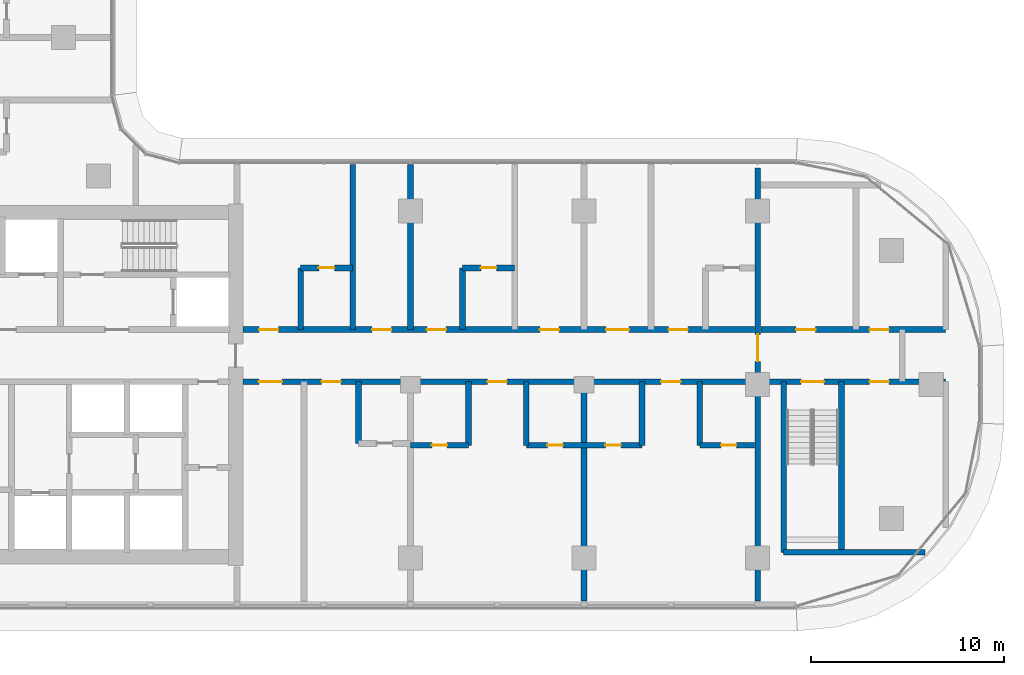
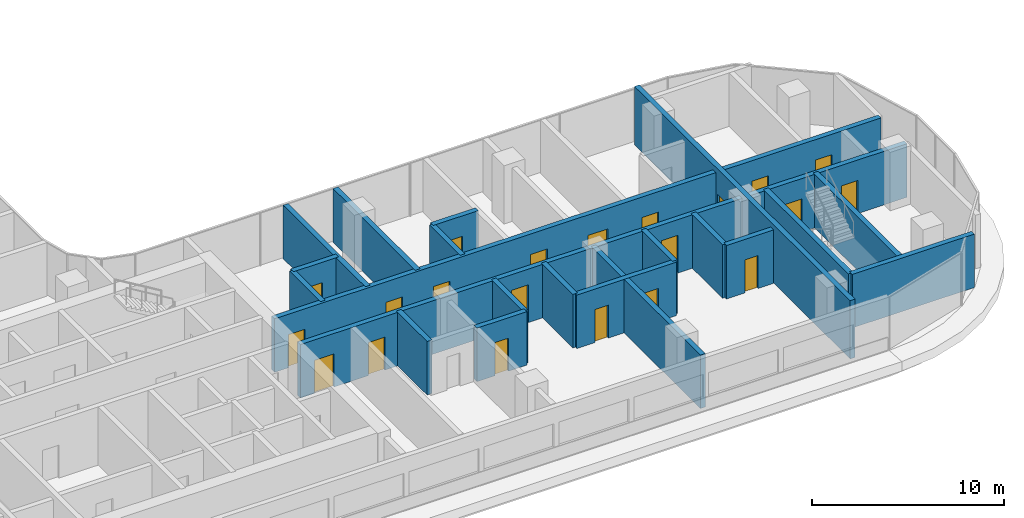
# One storey, part 12 of 25: 23 walls, 21 doors, 21 openings.
"""IFC4 building model written with IfcOpenShell, lengths in metres."""

from ifc_helpers import new_model, si_unit, direction, frame, frame_2d, origin, place, context, subcontext, project, spatial, rectangle, extrude, material, layer, layer_set, type_object, element, fill, save


model = new_model("IFC4")

# Units and contexts
model_context = context("Model", 3, precision=1e-05, world=origin(), true_north=direction((0.0, 1.0)))
body_context = subcontext(model_context, "Body", "Model", "MODEL_VIEW")
ifc_project = project(units=[si_unit("LENGTHUNIT", "METRE"), si_unit("AREAUNIT", "SQUARE_METRE"), si_unit("VOLUMEUNIT", "CUBIC_METRE"), si_unit("PLANEANGLEUNIT", "RADIAN"), si_unit("MASSUNIT", "GRAM", prefix="KILO")], contexts=[model_context])

# Site, building, storey
site_placement = place(None, origin())
site = spatial("IfcSite", under=ifc_project, at=site_placement, CompositionType="ELEMENT")
building_placement = place(site_placement, origin())
building = spatial("IfcBuilding", under=site, at=building_placement, Name="Ogive Portal Towers", CompositionType="ELEMENT")
storey_placement = place(building_placement, frame((0.0, 0.0, 116.699951171875)))
storey = spatial("IfcBuildingStorey", under=building, at=storey_placement, Name="L28", CompositionType="ELEMENT", Elevation=116.699951171875)

# Wall, opening, door
ifc_material_1 = material(Name="Concrete C60/75", Category="concrete")
ifc_layer_1 = layer(ifc_material_1, 0.300048828125)
ifc_layer_set_1 = layer_set([ifc_layer_1], Name="REVEAL WALL 300 C60")
wall_type_1 = type_object("IfcWallType", Name="REVEAL WALL 300 C60", PredefinedType="SHEAR", material=ifc_layer_set_1)
wall_1_placement = place(storey_placement, frame((85.5, 19.27490234375, 0.0), z_axis=(0.0, 0.0, 1.0), x_axis=(0.0, 1.0, 0.0)))
wall_1 = element("IfcWall", 1, at=wall_1_placement, inside=storey, type_object=wall_type_1, Name="Portal reveal wall L28", PredefinedType="SHEAR", context=body_context, shape_type="SweptSolid", body=[
    extrude(rectangle(XDim=22.4501953125, YDim=0.300048828125, at=frame_2d((11.22509765625, 0.0))), origin(), (0.0, 0.0, 1.0), 3.699951171875),
])
opening_1_placement = place(wall_1_placement, frame((12.425048828125, 0.0, 0.0)))
opening_1 = element("IfcOpeningElement", 2, at=opening_1_placement, cuts=wall_1, Name="Opening D10-067", PredefinedType="OPENING", context=body_context, shape_type="SweptSolid", body=[
    extrude(rectangle(XDim=1.39990234375, YDim=2.10009765625, at=frame_2d((0.699951171875, 1.050048828125))), frame((0.0, 0.16015625, 0.0), z_axis=(0.0, -1.0, 0.0), x_axis=(1.0, 0.0, 0.0)), (0.0, 0.0, 1.0), 0.320068359375),
])
ifc_material_2 = material(Name="Steel fire door", Category="steel")
door_type_1 = type_object("IfcDoorType", Name="DT-STAIR-1400x2100-FD90S", OperationType="SINGLE_SWING_LEFT", PredefinedType="DOOR", material=ifc_material_2)
door_1_placement = place(opening_1_placement, origin())
door_1 = element("IfcDoor", 3, at=door_1_placement, inside=storey, type_object=door_type_1, Name="Door D10-067", OperationType="SINGLE_SWING_RIGHT", OverallHeight=2.10009765625, OverallWidth=1.39990234375, PredefinedType="DOOR", context=body_context, shape_type="SweptSolid", body=[
    extrude(rectangle(XDim=1.39990234375, YDim=2.10009765625, at=frame_2d((0.699951171875, 1.050048828125))), frame((0.0, 0.02490234375, 0.0), z_axis=(0.0, -1.0, 0.0), x_axis=(1.0, 0.0, 0.0)), (0.0, 0.0, 1.0), 0.050048828125),
])
fill(opening_1, door_1)

# Wall
ifc_material_3 = material(Name="Concrete C50/60", Category="concrete")
ifc_layer_2 = layer(ifc_material_3, 0.300048828125)
ifc_layer_set_2 = layer_set([ifc_layer_2], Name="STAIR WALL 300 C50")
wall_type_2 = type_object("IfcWallType", Name="STAIR WALL 300 C50", PredefinedType="SHEAR", material=ifc_layer_set_2)
wall_2_placement = place(storey_placement, frame((86.85009765625, 21.800048828125, 0.0), z_axis=(0.0, 0.0, 1.0), x_axis=(1.0, 0.0, 0.0)))
element("IfcWall", 4, at=wall_2_placement, inside=storey, type_object=wall_type_2, Name="Stair wall ST-A4 L28", PredefinedType="SHEAR", context=body_context, shape_type="SweptSolid", body=[
    extrude(rectangle(XDim=7.3388671875, YDim=0.300048828125, at=frame_2d((3.66943359375, 0.0))), origin(), (0.0, 0.0, 1.0), 3.400146484375),
])

# Wall, openings, doors
wall_3_placement = place(storey_placement, frame((85.669921875, 30.64990234375, 0.0), z_axis=(0.0, 0.0, 1.0), x_axis=(1.0, 0.0, 0.0)))
wall_3 = element("IfcWall", 5, at=wall_3_placement, inside=storey, type_object=wall_type_2, Name="Stair wall ST-A4 L28", PredefinedType="SHEAR", context=body_context, shape_type="SweptSolid", body=[
    extrude(rectangle(XDim=9.580078125, YDim=0.300048828125, at=frame_2d((4.7900390625, 0.0))), origin(), (0.0, 0.0, 1.0), 3.400146484375),
])
opening_2_placement = place(wall_3_placement, frame((2.080078125, 0.0, 0.0)))
opening_2 = element("IfcOpeningElement", 6, at=opening_2_placement, cuts=wall_3, Name="Opening D10-062", PredefinedType="OPENING", context=body_context, shape_type="SweptSolid", body=[
    extrude(rectangle(XDim=1.199951171875, YDim=2.10009765625, at=frame_2d((0.60009765625, 1.050048828125))), frame((0.0, 0.16015625, 0.0), z_axis=(0.0, -1.0, 0.0), x_axis=(1.0, 0.0, 0.0)), (0.0, 0.0, 1.0), 0.320068359375),
])
opening_3_placement = place(wall_3_placement, frame((5.6298828125, 0.0, 0.0)))
opening_3 = element("IfcOpeningElement", 7, at=opening_3_placement, cuts=wall_3, Name="Opening D10-065", PredefinedType="OPENING", context=body_context, shape_type="SweptSolid", body=[
    extrude(rectangle(XDim=1.0, YDim=2.10009765625, at=frame_2d((0.5, 1.050048828125))), frame((0.0, 0.16015625, 0.0), z_axis=(0.0, -1.0, 0.0), x_axis=(1.0, 0.0, 0.0)), (0.0, 0.0, 1.0), 0.320068359375),
])
door_type_2 = type_object("IfcDoorType", Name="DT-SERVICE-1000x2100-FD90S", OperationType="SINGLE_SWING_LEFT", PredefinedType="DOOR", material=ifc_material_2)
door_2_placement = place(opening_3_placement, origin())
door_2 = element("IfcDoor", 8, at=door_2_placement, inside=storey, type_object=door_type_2, Name="Door D10-065", OperationType="SINGLE_SWING_LEFT", OverallHeight=2.10009765625, OverallWidth=1.0, PredefinedType="DOOR", context=body_context, shape_type="SweptSolid", body=[
    extrude(rectangle(XDim=1.0, YDim=2.10009765625, at=frame_2d((0.5, 1.050048828125))), frame((0.0, 0.02490234375, 0.0), z_axis=(0.0, -1.0, 0.0), x_axis=(1.0, 0.0, 0.0)), (0.0, 0.0, 1.0), 0.050048828125),
])
fill(opening_3, door_2)
door_type_3 = type_object("IfcDoorType", Name="DT-STAIR-1200x2100-FD90S", OperationType="SINGLE_SWING_LEFT", PredefinedType="DOOR", material=ifc_material_2)
door_3_placement = place(opening_2_placement, origin())
door_3 = element("IfcDoor", 9, at=door_3_placement, inside=storey, type_object=door_type_3, Name="Door D10-062", OperationType="SINGLE_SWING_LEFT", OverallHeight=2.10009765625, OverallWidth=1.199951171875, PredefinedType="DOOR", context=body_context, shape_type="SweptSolid", body=[
    extrude(rectangle(XDim=1.199951171875, YDim=2.10009765625, at=frame_2d((0.60009765625, 1.050048828125))), frame((0.0, 0.02490234375, 0.0), z_axis=(0.0, -1.0, 0.0), x_axis=(1.0, 0.0, 0.0)), (0.0, 0.0, 1.0), 0.050048828125),
])
fill(opening_2, door_3)

# Walls
for number, where, z_axis, x_axis, name in (
    (10, (86.85009765625, 21.800048828125, 0.0), (0.0, 0.0, 1.0), (0.0, 1.0, 0.0), "Stair wall ST-A4 L28"),
    (11, (89.85009765625, 21.800048828125, 0.0), (0.0, 0.0, 1.0), (0.0, 1.0, 0.0), "Stair wall ST-A4 L28"),
):
    element("IfcWall", number, at=place(storey_placement, frame(where, z_axis=z_axis, x_axis=x_axis)), inside=storey, type_object=wall_type_2, Name=name, PredefinedType="SHEAR", context=body_context, shape_type="SweptSolid", body=[
        extrude(rectangle(XDim=8.849853515625, YDim=0.300048828125, at=frame_2d((4.4248046875, 0.0))), origin(), (0.0, 0.0, 1.0), 3.400146484375),
    ])

# Wall, openings, doors
ifc_material_4 = material(Name="Gypsum board partition on steel studs", Category="steel")
ifc_layer_3 = layer(ifc_material_4, 0.300048828125)
ifc_layer_set_3 = layer_set([ifc_layer_3], Name="WT-PART-300-EI 120")
wall_type_3 = type_object("IfcWallType", Name="WT-PART-300-EI 120", PredefinedType="PARTITIONING", material=ifc_layer_set_3)
wall_4_placement = place(storey_placement, frame((58.800048828125, 30.64990234375, 0.0), z_axis=(0.0, 0.0, 1.0), x_axis=(1.0, 0.0, 0.0)))
wall_4 = element("IfcWall", 12, at=wall_4_placement, inside=storey, type_object=wall_type_3, Name="Wall L28:w006", PredefinedType="PARTITIONING", context=body_context, shape_type="SweptSolid", body=[
    extrude(rectangle(XDim=26.530029296875, YDim=0.300048828125, at=frame_2d((13.26513671875, 0.0))), origin(), (0.0, 0.0, 1.0), 3.400146484375),
])
opening_4_placement = place(wall_4_placement, frame((0.8349609375, 0.0, 0.0)))
opening_4 = element("IfcOpeningElement", 13, at=opening_4_placement, cuts=wall_4, Name="Opening D10-029", PredefinedType="OPENING", context=body_context, shape_type="SweptSolid", body=[
    extrude(rectangle(XDim=1.199951171875, YDim=2.10009765625, at=frame_2d((0.60009765625, 1.050048828125))), frame((0.0, 0.16015625, 0.0), z_axis=(0.0, -1.0, 0.0), x_axis=(1.0, 0.0, 0.0)), (0.0, 0.0, 1.0), 0.320068359375),
])
opening_5_placement = place(wall_4_placement, frame((4.0849609375, 0.0, 0.0)))
opening_5 = element("IfcOpeningElement", 14, at=opening_5_placement, cuts=wall_4, Name="Opening D10-031", PredefinedType="OPENING", context=body_context, shape_type="SweptSolid", body=[
    extrude(rectangle(XDim=1.0, YDim=2.10009765625, at=frame_2d((0.5, 1.050048828125))), frame((0.0, 0.16015625, 0.0), z_axis=(0.0, -1.0, 0.0), x_axis=(1.0, 0.0, 0.0)), (0.0, 0.0, 1.0), 0.320068359375),
])
opening_6_placement = place(wall_4_placement, frame((12.699951171875, 0.0, 0.0)))
opening_6 = element("IfcOpeningElement", 15, at=opening_6_placement, cuts=wall_4, Name="Opening D10-037", PredefinedType="OPENING", context=body_context, shape_type="SweptSolid", body=[
    extrude(rectangle(XDim=1.0, YDim=2.39990234375, at=frame_2d((0.5, 1.199951171875))), frame((0.0, 0.16015625, 0.0), z_axis=(0.0, -1.0, 0.0), x_axis=(1.0, 0.0, 0.0)), (0.0, 0.0, 1.0), 0.320068359375),
])
opening_7_placement = place(wall_4_placement, frame((21.699951171875, 0.0, 0.0)))
opening_7 = element("IfcOpeningElement", 16, at=opening_7_placement, cuts=wall_4, Name="Opening D10-043", PredefinedType="OPENING", context=body_context, shape_type="SweptSolid", body=[
    extrude(rectangle(XDim=1.0, YDim=2.39990234375, at=frame_2d((0.5, 1.199951171875))), frame((0.0, 0.16015625, 0.0), z_axis=(0.0, -1.0, 0.0), x_axis=(1.0, 0.0, 0.0)), (0.0, 0.0, 1.0), 0.320068359375),
])
door_type_4 = type_object("IfcDoorType", Name="DT-ENTRY-1000x2100-FD90S", OperationType="SINGLE_SWING_LEFT", PredefinedType="DOOR", material=ifc_material_2)
door_4_placement = place(opening_5_placement, origin())
door_4 = element("IfcDoor", 17, at=door_4_placement, inside=storey, type_object=door_type_4, Name="Door D10-031", OperationType="SINGLE_SWING_LEFT", OverallHeight=2.10009765625, OverallWidth=1.0, PredefinedType="DOOR", context=body_context, shape_type="SweptSolid", body=[
    extrude(rectangle(XDim=1.0, YDim=2.10009765625, at=frame_2d((0.5, 1.050048828125))), frame((0.0, 0.02490234375, 0.0), z_axis=(0.0, -1.0, 0.0), x_axis=(1.0, 0.0, 0.0)), (0.0, 0.0, 1.0), 0.050048828125),
])
fill(opening_5, door_4)
door_type_5 = type_object("IfcDoorType", Name="DT-ENTRY-1000x2400-FD90S", OperationType="SINGLE_SWING_LEFT", PredefinedType="DOOR", material=ifc_material_2)
door_5_placement = place(opening_6_placement, origin())
door_5 = element("IfcDoor", 18, at=door_5_placement, inside=storey, type_object=door_type_5, Name="Door D10-037", OperationType="SINGLE_SWING_LEFT", OverallHeight=2.39990234375, OverallWidth=1.0, PredefinedType="DOOR", context=body_context, shape_type="SweptSolid", body=[
    extrude(rectangle(XDim=1.0, YDim=2.39990234375, at=frame_2d((0.5, 1.199951171875))), frame((0.0, 0.02490234375, 0.0), z_axis=(0.0, -1.0, 0.0), x_axis=(1.0, 0.0, 0.0)), (0.0, 0.0, 1.0), 0.050048828125),
])
fill(opening_6, door_5)
door_6_placement = place(opening_7_placement, origin())
door_6 = element("IfcDoor", 19, at=door_6_placement, inside=storey, type_object=door_type_5, Name="Door D10-043", OperationType="SINGLE_SWING_LEFT", OverallHeight=2.39990234375, OverallWidth=1.0, PredefinedType="DOOR", context=body_context, shape_type="SweptSolid", body=[
    extrude(rectangle(XDim=1.0, YDim=2.39990234375, at=frame_2d((0.5, 1.199951171875))), frame((0.0, 0.02490234375, 0.0), z_axis=(0.0, -1.0, 0.0), x_axis=(1.0, 0.0, 0.0)), (0.0, 0.0, 1.0), 0.050048828125),
])
fill(opening_7, door_6)
door_type_6 = type_object("IfcDoorType", Name="DT-ENTRY-1200x2100-FD90S", OperationType="SINGLE_SWING_LEFT", PredefinedType="DOOR", material=ifc_material_2)
door_7_placement = place(opening_4_placement, origin())
door_7 = element("IfcDoor", 20, at=door_7_placement, inside=storey, type_object=door_type_6, Name="Door D10-029", OperationType="SINGLE_SWING_LEFT", OverallHeight=2.10009765625, OverallWidth=1.199951171875, PredefinedType="DOOR", context=body_context, shape_type="SweptSolid", body=[
    extrude(rectangle(XDim=1.199951171875, YDim=2.10009765625, at=frame_2d((0.60009765625, 1.050048828125))), frame((0.0, 0.02490234375, 0.0), z_axis=(0.0, -1.0, 0.0), x_axis=(1.0, 0.0, 0.0)), (0.0, 0.0, 1.0), 0.050048828125),
])
fill(opening_4, door_7)

wall_5_placement = place(storey_placement, frame((58.800048828125, 33.35009765625, 0.0), z_axis=(0.0, 0.0, 1.0), x_axis=(1.0, 0.0, 0.0)))
wall_5 = element("IfcWall", 21, at=wall_5_placement, inside=storey, type_object=wall_type_3, Name="Wall L28:w008", PredefinedType="PARTITIONING", context=body_context, shape_type="SweptSolid", body=[
    extrude(rectangle(XDim=26.530029296875, YDim=0.300048828125, at=frame_2d((13.26513671875, 0.0))), origin(), (0.0, 0.0, 1.0), 3.400146484375),
])
opening_8_placement = place(wall_5_placement, frame((0.85009765625, 0.0, 0.0)))
opening_8 = element("IfcOpeningElement", 22, at=opening_8_placement, cuts=wall_5, Name="Opening D10-027", PredefinedType="OPENING", context=body_context, shape_type="SweptSolid", body=[
    extrude(rectangle(XDim=1.0, YDim=2.10009765625, at=frame_2d((0.5, 1.050048828125))), frame((0.0, 0.16015625, 0.0), z_axis=(0.0, -1.0, 0.0), x_axis=(1.0, 0.0, 0.0)), (0.0, 0.0, 1.0), 0.320068359375),
])
opening_9_placement = place(wall_5_placement, frame((6.699951171875, 0.0, 0.0)))
opening_9 = element("IfcOpeningElement", 23, at=opening_9_placement, cuts=wall_5, Name="Opening D10-028", PredefinedType="OPENING", context=body_context, shape_type="SweptSolid", body=[
    extrude(rectangle(XDim=1.0, YDim=2.10009765625, at=frame_2d((0.5, 1.050048828125))), frame((0.0, 0.16015625, 0.0), z_axis=(0.0, -1.0, 0.0), x_axis=(1.0, 0.0, 0.0)), (0.0, 0.0, 1.0), 0.320068359375),
])
opening_10_placement = place(wall_5_placement, frame((9.550048828125, 0.0, 0.0)))
opening_10 = element("IfcOpeningElement", 24, at=opening_10_placement, cuts=wall_5, Name="Opening D10-033", PredefinedType="OPENING", context=body_context, shape_type="SweptSolid", body=[
    extrude(rectangle(XDim=1.0, YDim=2.10009765625, at=frame_2d((0.5, 1.050048828125))), frame((0.0, 0.16015625, 0.0), z_axis=(0.0, -1.0, 0.0), x_axis=(1.0, 0.0, 0.0)), (0.0, 0.0, 1.0), 0.320068359375),
])
opening_11_placement = place(wall_5_placement, frame((15.39990234375, 0.0, 0.0)))
opening_11 = element("IfcOpeningElement", 25, at=opening_11_placement, cuts=wall_5, Name="Opening D10-034", PredefinedType="OPENING", context=body_context, shape_type="SweptSolid", body=[
    extrude(rectangle(XDim=1.0, YDim=2.10009765625, at=frame_2d((0.5, 1.050048828125))), frame((0.0, 0.16015625, 0.0), z_axis=(0.0, -1.0, 0.0), x_axis=(1.0, 0.0, 0.0)), (0.0, 0.0, 1.0), 0.320068359375),
])
opening_12_placement = place(wall_5_placement, frame((18.8349609375, 0.0, 0.0)))
opening_12 = element("IfcOpeningElement", 26, at=opening_12_placement, cuts=wall_5, Name="Opening D10-038", PredefinedType="OPENING", context=body_context, shape_type="SweptSolid", body=[
    extrude(rectangle(XDim=1.199951171875, YDim=2.10009765625, at=frame_2d((0.60009765625, 1.050048828125))), frame((0.0, 0.16015625, 0.0), z_axis=(0.0, -1.0, 0.0), x_axis=(1.0, 0.0, 0.0)), (0.0, 0.0, 1.0), 0.320068359375),
])
opening_13_placement = place(wall_5_placement, frame((22.0849609375, 0.0, 0.0)))
opening_13 = element("IfcOpeningElement", 27, at=opening_13_placement, cuts=wall_5, Name="Opening D10-040", PredefinedType="OPENING", context=body_context, shape_type="SweptSolid", body=[
    extrude(rectangle(XDim=1.0, YDim=2.10009765625, at=frame_2d((0.5, 1.050048828125))), frame((0.0, 0.16015625, 0.0), z_axis=(0.0, -1.0, 0.0), x_axis=(1.0, 0.0, 0.0)), (0.0, 0.0, 1.0), 0.320068359375),
])
door_8_placement = place(opening_8_placement, origin())
door_8 = element("IfcDoor", 28, at=door_8_placement, inside=storey, type_object=door_type_4, Name="Door D10-027", OperationType="SINGLE_SWING_LEFT", OverallHeight=2.10009765625, OverallWidth=1.0, PredefinedType="DOOR", context=body_context, shape_type="SweptSolid", body=[
    extrude(rectangle(XDim=1.0, YDim=2.10009765625, at=frame_2d((0.5, 1.050048828125))), frame((0.0, 0.02490234375, 0.0), z_axis=(0.0, -1.0, 0.0), x_axis=(1.0, 0.0, 0.0)), (0.0, 0.0, 1.0), 0.050048828125),
])
fill(opening_8, door_8)
door_9_placement = place(opening_9_placement, origin())
door_9 = element("IfcDoor", 29, at=door_9_placement, inside=storey, type_object=door_type_4, Name="Door D10-028", OperationType="SINGLE_SWING_RIGHT", OverallHeight=2.10009765625, OverallWidth=1.0, PredefinedType="DOOR", context=body_context, shape_type="SweptSolid", body=[
    extrude(rectangle(XDim=1.0, YDim=2.10009765625, at=frame_2d((0.5, 1.050048828125))), frame((0.0, 0.02490234375, 0.0), z_axis=(0.0, -1.0, 0.0), x_axis=(1.0, 0.0, 0.0)), (0.0, 0.0, 1.0), 0.050048828125),
])
fill(opening_9, door_9)
door_10_placement = place(opening_10_placement, origin())
door_10 = element("IfcDoor", 30, at=door_10_placement, inside=storey, type_object=door_type_4, Name="Door D10-033", OperationType="SINGLE_SWING_LEFT", OverallHeight=2.10009765625, OverallWidth=1.0, PredefinedType="DOOR", context=body_context, shape_type="SweptSolid", body=[
    extrude(rectangle(XDim=1.0, YDim=2.10009765625, at=frame_2d((0.5, 1.050048828125))), frame((0.0, 0.02490234375, 0.0), z_axis=(0.0, -1.0, 0.0), x_axis=(1.0, 0.0, 0.0)), (0.0, 0.0, 1.0), 0.050048828125),
])
fill(opening_10, door_10)
door_11_placement = place(opening_11_placement, origin())
door_11 = element("IfcDoor", 31, at=door_11_placement, inside=storey, type_object=door_type_4, Name="Door D10-034", OperationType="SINGLE_SWING_RIGHT", OverallHeight=2.10009765625, OverallWidth=1.0, PredefinedType="DOOR", context=body_context, shape_type="SweptSolid", body=[
    extrude(rectangle(XDim=1.0, YDim=2.10009765625, at=frame_2d((0.5, 1.050048828125))), frame((0.0, 0.02490234375, 0.0), z_axis=(0.0, -1.0, 0.0), x_axis=(1.0, 0.0, 0.0)), (0.0, 0.0, 1.0), 0.050048828125),
])
fill(opening_11, door_11)
door_12_placement = place(opening_13_placement, origin())
door_12 = element("IfcDoor", 32, at=door_12_placement, inside=storey, type_object=door_type_4, Name="Door D10-040", OperationType="SINGLE_SWING_LEFT", OverallHeight=2.10009765625, OverallWidth=1.0, PredefinedType="DOOR", context=body_context, shape_type="SweptSolid", body=[
    extrude(rectangle(XDim=1.0, YDim=2.10009765625, at=frame_2d((0.5, 1.050048828125))), frame((0.0, 0.02490234375, 0.0), z_axis=(0.0, -1.0, 0.0), x_axis=(1.0, 0.0, 0.0)), (0.0, 0.0, 1.0), 0.050048828125),
])
fill(opening_13, door_12)
door_13_placement = place(opening_12_placement, origin())
door_13 = element("IfcDoor", 33, at=door_13_placement, inside=storey, type_object=door_type_6, Name="Door D10-038", OperationType="SINGLE_SWING_LEFT", OverallHeight=2.10009765625, OverallWidth=1.199951171875, PredefinedType="DOOR", context=body_context, shape_type="SweptSolid", body=[
    extrude(rectangle(XDim=1.199951171875, YDim=2.10009765625, at=frame_2d((0.60009765625, 1.050048828125))), frame((0.0, 0.02490234375, 0.0), z_axis=(0.0, -1.0, 0.0), x_axis=(1.0, 0.0, 0.0)), (0.0, 0.0, 1.0), 0.050048828125),
])
fill(opening_12, door_13)

wall_6_placement = place(storey_placement, frame((85.669921875, 33.35009765625, 0.0), z_axis=(0.0, 0.0, 1.0), x_axis=(1.0, 0.0, 0.0)))
wall_6 = element("IfcWall", 34, at=wall_6_placement, inside=storey, type_object=wall_type_3, Name="Wall L28:w009", PredefinedType="PARTITIONING", context=body_context, shape_type="SweptSolid", body=[
    extrude(rectangle(XDim=9.580078125, YDim=0.300048828125, at=frame_2d((4.7900390625, 0.0))), origin(), (0.0, 0.0, 1.0), 3.400146484375),
])
opening_14_placement = place(wall_6_placement, frame((1.830078125, 0.0, 0.0)))
opening_14 = element("IfcOpeningElement", 35, at=opening_14_placement, cuts=wall_6, Name="Opening D10-063", PredefinedType="OPENING", context=body_context, shape_type="SweptSolid", body=[
    extrude(rectangle(XDim=1.0, YDim=2.10009765625, at=frame_2d((0.5, 1.050048828125))), frame((0.0, 0.16015625, 0.0), z_axis=(0.0, -1.0, 0.0), x_axis=(1.0, 0.0, 0.0)), (0.0, 0.0, 1.0), 0.320068359375),
])
opening_15_placement = place(wall_6_placement, frame((5.6298828125, 0.0, 0.0)))
opening_15 = element("IfcOpeningElement", 36, at=opening_15_placement, cuts=wall_6, Name="Opening D10-064", PredefinedType="OPENING", context=body_context, shape_type="SweptSolid", body=[
    extrude(rectangle(XDim=1.0, YDim=2.10009765625, at=frame_2d((0.5, 1.050048828125))), frame((0.0, 0.16015625, 0.0), z_axis=(0.0, -1.0, 0.0), x_axis=(1.0, 0.0, 0.0)), (0.0, 0.0, 1.0), 0.320068359375),
])
door_14_placement = place(opening_14_placement, origin())
door_14 = element("IfcDoor", 37, at=door_14_placement, inside=storey, type_object=door_type_2, Name="Door D10-063", OperationType="SINGLE_SWING_LEFT", OverallHeight=2.10009765625, OverallWidth=1.0, PredefinedType="DOOR", context=body_context, shape_type="SweptSolid", body=[
    extrude(rectangle(XDim=1.0, YDim=2.10009765625, at=frame_2d((0.5, 1.050048828125))), frame((0.0, 0.02490234375, 0.0), z_axis=(0.0, -1.0, 0.0), x_axis=(1.0, 0.0, 0.0)), (0.0, 0.0, 1.0), 0.050048828125),
])
fill(opening_14, door_14)
door_15_placement = place(opening_15_placement, origin())
door_15 = element("IfcDoor", 38, at=door_15_placement, inside=storey, type_object=door_type_2, Name="Riser access door D10-064", OperationType="SINGLE_SWING_RIGHT", OverallHeight=2.10009765625, OverallWidth=1.0, PredefinedType="DOOR", context=body_context, shape_type="SweptSolid", body=[
    extrude(rectangle(XDim=1.0, YDim=2.10009765625, at=frame_2d((0.5, 1.050048828125))), frame((0.0, 0.02490234375, 0.0), z_axis=(0.0, -1.0, 0.0), x_axis=(1.0, 0.0, 0.0)), (0.0, 0.0, 1.0), 0.050048828125),
])
fill(opening_15, door_15)

# Wall, opening, door
ifc_layer_4 = layer(ifc_material_4, 0.300048828125)
ifc_layer_set_4 = layer_set([ifc_layer_4], Name="WT-PART-300-EI 60")
wall_type_4 = type_object("IfcWallType", Name="WT-PART-300-EI 60", PredefinedType="PARTITIONING", material=ifc_layer_set_4)
wall_7_placement = place(storey_placement, frame((67.5, 27.35009765625, 0.0), z_axis=(0.0, 0.0, 1.0), x_axis=(1.0, 0.0, 0.0)))
wall_7 = element("IfcWall", 39, at=wall_7_placement, inside=storey, type_object=wall_type_4, Name="Wall L28:w002", PredefinedType="PARTITIONING", context=body_context, shape_type="SweptSolid", body=[
    extrude(rectangle(XDim=3.0, YDim=0.300048828125, at=frame_2d((1.5, 0.0))), origin(), (0.0, 0.0, 1.0), 3.400146484375),
])
opening_16_placement = place(wall_7_placement, frame((1.10009765625, 0.0, 0.0)))
opening_16 = element("IfcOpeningElement", 40, at=opening_16_placement, cuts=wall_7, Name="Opening D10-035", PredefinedType="OPENING", context=body_context, shape_type="SweptSolid", body=[
    extrude(rectangle(XDim=0.800048828125, YDim=2.10009765625, at=frame_2d((0.39990234375, 1.050048828125))), frame((0.0, 0.16015625, 0.0), z_axis=(0.0, -1.0, 0.0), x_axis=(1.0, 0.0, 0.0)), (0.0, 0.0, 1.0), 0.320068359375),
])
door_type_7 = type_object("IfcDoorType", Name="DT-BATH-800x2100-FD60S", OperationType="SINGLE_SWING_LEFT", PredefinedType="DOOR", material=ifc_material_2)
door_16_placement = place(opening_16_placement, origin())
door_16 = element("IfcDoor", 41, at=door_16_placement, inside=storey, type_object=door_type_7, Name="Door D10-035", OperationType="SINGLE_SWING_LEFT", OverallHeight=2.10009765625, OverallWidth=0.800048828125, PredefinedType="DOOR", context=body_context, shape_type="SweptSolid", body=[
    extrude(rectangle(XDim=0.800048828125, YDim=2.10009765625, at=frame_2d((0.39990234375, 1.050048828125))), frame((0.0, 0.02490234375, 0.0), z_axis=(0.0, -1.0, 0.0), x_axis=(1.0, 0.0, 0.0)), (0.0, 0.0, 1.0), 0.050048828125),
])
fill(opening_16, door_16)

# Wall, openings, doors
wall_8_placement = place(storey_placement, frame((73.5, 27.35009765625, 0.0), z_axis=(0.0, 0.0, 1.0), x_axis=(1.0, 0.0, 0.0)))
wall_8 = element("IfcWall", 42, at=wall_8_placement, inside=storey, type_object=wall_type_4, Name="Wall L28:w003", PredefinedType="PARTITIONING", context=body_context, shape_type="SweptSolid", body=[
    extrude(rectangle(XDim=6.0, YDim=0.300048828125, at=frame_2d((3.0, 0.0))), origin(), (0.0, 0.0, 1.0), 3.400146484375),
])
opening_17_placement = place(wall_8_placement, frame((1.10009765625, 0.0, 0.0)))
opening_17 = element("IfcOpeningElement", 43, at=opening_17_placement, cuts=wall_8, Name="Opening D10-036", PredefinedType="OPENING", context=body_context, shape_type="SweptSolid", body=[
    extrude(rectangle(XDim=0.800048828125, YDim=2.10009765625, at=frame_2d((0.39990234375, 1.050048828125))), frame((0.0, 0.16015625, 0.0), z_axis=(0.0, -1.0, 0.0), x_axis=(1.0, 0.0, 0.0)), (0.0, 0.0, 1.0), 0.320068359375),
])
opening_18_placement = place(wall_8_placement, frame((4.10009765625, 0.0, 0.0)))
opening_18 = element("IfcOpeningElement", 44, at=opening_18_placement, cuts=wall_8, Name="Opening D10-041", PredefinedType="OPENING", context=body_context, shape_type="SweptSolid", body=[
    extrude(rectangle(XDim=0.800048828125, YDim=2.10009765625, at=frame_2d((0.39990234375, 1.050048828125))), frame((0.0, 0.16015625, 0.0), z_axis=(0.0, -1.0, 0.0), x_axis=(1.0, 0.0, 0.0)), (0.0, 0.0, 1.0), 0.320068359375),
])
door_17_placement = place(opening_17_placement, origin())
door_17 = element("IfcDoor", 45, at=door_17_placement, inside=storey, type_object=door_type_7, Name="Door D10-036", OperationType="SINGLE_SWING_RIGHT", OverallHeight=2.10009765625, OverallWidth=0.800048828125, PredefinedType="DOOR", context=body_context, shape_type="SweptSolid", body=[
    extrude(rectangle(XDim=0.800048828125, YDim=2.10009765625, at=frame_2d((0.39990234375, 1.050048828125))), frame((0.0, 0.02490234375, 0.0), z_axis=(0.0, -1.0, 0.0), x_axis=(1.0, 0.0, 0.0)), (0.0, 0.0, 1.0), 0.050048828125),
])
fill(opening_17, door_17)
door_18_placement = place(opening_18_placement, origin())
door_18 = element("IfcDoor", 46, at=door_18_placement, inside=storey, type_object=door_type_7, Name="Door D10-041", OperationType="SINGLE_SWING_LEFT", OverallHeight=2.10009765625, OverallWidth=0.800048828125, PredefinedType="DOOR", context=body_context, shape_type="SweptSolid", body=[
    extrude(rectangle(XDim=0.800048828125, YDim=2.10009765625, at=frame_2d((0.39990234375, 1.050048828125))), frame((0.0, 0.02490234375, 0.0), z_axis=(0.0, -1.0, 0.0), x_axis=(1.0, 0.0, 0.0)), (0.0, 0.0, 1.0), 0.050048828125),
])
fill(opening_18, door_18)

# Wall, opening, door
wall_9_placement = place(storey_placement, frame((82.5, 27.35009765625, 0.0), z_axis=(0.0, 0.0, 1.0), x_axis=(1.0, 0.0, 0.0)))
wall_9 = element("IfcWall", 47, at=wall_9_placement, inside=storey, type_object=wall_type_4, Name="Wall L28:w004", PredefinedType="PARTITIONING", context=body_context, shape_type="SweptSolid", body=[
    extrude(rectangle(XDim=2.830078125, YDim=0.300048828125, at=frame_2d((1.4150390625, 0.0))), origin(), (0.0, 0.0, 1.0), 3.400146484375),
])
opening_19_placement = place(wall_9_placement, frame((1.10009765625, 0.0, 0.0)))
opening_19 = element("IfcOpeningElement", 48, at=opening_19_placement, cuts=wall_9, Name="Opening D10-042", PredefinedType="OPENING", context=body_context, shape_type="SweptSolid", body=[
    extrude(rectangle(XDim=0.800048828125, YDim=2.10009765625, at=frame_2d((0.39990234375, 1.050048828125))), frame((0.0, 0.16015625, 0.0), z_axis=(0.0, -1.0, 0.0), x_axis=(1.0, 0.0, 0.0)), (0.0, 0.0, 1.0), 0.320068359375),
])
door_19_placement = place(opening_19_placement, origin())
door_19 = element("IfcDoor", 49, at=door_19_placement, inside=storey, type_object=door_type_7, Name="Door D10-042", OperationType="SINGLE_SWING_RIGHT", OverallHeight=2.10009765625, OverallWidth=0.800048828125, PredefinedType="DOOR", context=body_context, shape_type="SweptSolid", body=[
    extrude(rectangle(XDim=0.800048828125, YDim=2.10009765625, at=frame_2d((0.39990234375, 1.050048828125))), frame((0.0, 0.02490234375, 0.0), z_axis=(0.0, -1.0, 0.0), x_axis=(1.0, 0.0, 0.0)), (0.0, 0.0, 1.0), 0.050048828125),
])
fill(opening_19, door_19)

wall_10_placement = place(storey_placement, frame((61.800048828125, 36.550048828125, 0.0), z_axis=(0.0, 0.0, 1.0), x_axis=(1.0, 0.0, 0.0)))
wall_10 = element("IfcWall", 50, at=wall_10_placement, inside=storey, type_object=wall_type_4, Name="Wall L28:w010", PredefinedType="PARTITIONING", context=body_context, shape_type="SweptSolid", body=[
    extrude(rectangle(XDim=2.699951171875, YDim=0.300048828125, at=frame_2d((1.35009765625, 0.0))), origin(), (0.0, 0.0, 1.0), 3.400146484375),
])
opening_20_placement = place(wall_10_placement, frame((0.949951171875, 0.0, 0.0)))
opening_20 = element("IfcOpeningElement", 51, at=opening_20_placement, cuts=wall_10, Name="Opening D10-026", PredefinedType="OPENING", context=body_context, shape_type="SweptSolid", body=[
    extrude(rectangle(XDim=0.800048828125, YDim=2.10009765625, at=frame_2d((0.39990234375, 1.050048828125))), frame((0.0, 0.16015625, 0.0), z_axis=(0.0, -1.0, 0.0), x_axis=(1.0, 0.0, 0.0)), (0.0, 0.0, 1.0), 0.320068359375),
])
door_20_placement = place(opening_20_placement, origin())
door_20 = element("IfcDoor", 52, at=door_20_placement, inside=storey, type_object=door_type_7, Name="Door D10-026", OperationType="SINGLE_SWING_LEFT", OverallHeight=2.10009765625, OverallWidth=0.800048828125, PredefinedType="DOOR", context=body_context, shape_type="SweptSolid", body=[
    extrude(rectangle(XDim=0.800048828125, YDim=2.10009765625, at=frame_2d((0.39990234375, 1.050048828125))), frame((0.0, 0.02490234375, 0.0), z_axis=(0.0, -1.0, 0.0), x_axis=(1.0, 0.0, 0.0)), (0.0, 0.0, 1.0), 0.050048828125),
])
fill(opening_20, door_20)

wall_11_placement = place(storey_placement, frame((70.199951171875, 36.550048828125, 0.0), z_axis=(0.0, 0.0, 1.0), x_axis=(1.0, 0.0, 0.0)))
wall_11 = element("IfcWall", 53, at=wall_11_placement, inside=storey, type_object=wall_type_4, Name="Wall L28:w011", PredefinedType="PARTITIONING", context=body_context, shape_type="SweptSolid", body=[
    extrude(rectangle(XDim=2.699951171875, YDim=0.300048828125, at=frame_2d((1.35009765625, 0.0))), origin(), (0.0, 0.0, 1.0), 3.400146484375),
])
opening_21_placement = place(wall_11_placement, frame((0.949951171875, 0.0, 0.0)))
opening_21 = element("IfcOpeningElement", 54, at=opening_21_placement, cuts=wall_11, Name="Opening D10-032", PredefinedType="OPENING", context=body_context, shape_type="SweptSolid", body=[
    extrude(rectangle(XDim=0.800048828125, YDim=2.10009765625, at=frame_2d((0.39990234375, 1.050048828125))), frame((0.0, 0.16015625, 0.0), z_axis=(0.0, -1.0, 0.0), x_axis=(1.0, 0.0, 0.0)), (0.0, 0.0, 1.0), 0.320068359375),
])
door_21_placement = place(opening_21_placement, origin())
door_21 = element("IfcDoor", 55, at=door_21_placement, inside=storey, type_object=door_type_7, Name="Door D10-032", OperationType="SINGLE_SWING_LEFT", OverallHeight=2.10009765625, OverallWidth=0.800048828125, PredefinedType="DOOR", context=body_context, shape_type="SweptSolid", body=[
    extrude(rectangle(XDim=0.800048828125, YDim=2.10009765625, at=frame_2d((0.39990234375, 1.050048828125))), frame((0.0, 0.02490234375, 0.0), z_axis=(0.0, -1.0, 0.0), x_axis=(1.0, 0.0, 0.0)), (0.0, 0.0, 1.0), 0.050048828125),
])
fill(opening_21, door_21)

# Walls
wall_12_placement = place(storey_placement, frame((61.800048828125, 33.35009765625, 0.0), z_axis=(0.0, 0.0, 1.0), x_axis=(0.0, 1.0, 0.0)))
element("IfcWall", 56, at=wall_12_placement, inside=storey, type_object=wall_type_4, Name="Wall L28:w048", PredefinedType="PARTITIONING", context=body_context, shape_type="SweptSolid", body=[
    extrude(rectangle(XDim=3.199951171875, YDim=0.300048828125, at=frame_2d((1.60009765625, 0.0))), origin(), (0.0, 0.0, 1.0), 3.400146484375),
])
wall_13_placement = place(storey_placement, frame((64.5, 33.35009765625, 0.0), z_axis=(0.0, 0.0, 1.0), x_axis=(0.0, 1.0, 0.0)))
element("IfcWall", 57, at=wall_13_placement, inside=storey, type_object=wall_type_4, Name="Wall L28:w050", PredefinedType="PARTITIONING", context=body_context, shape_type="SweptSolid", body=[
    extrude(rectangle(XDim=8.554931640625, YDim=0.300048828125, at=frame_2d((4.27734375, 0.0))), origin(), (0.0, 0.0, 1.0), 3.400146484375),
])
wall_14_placement = place(storey_placement, frame((64.800048828125, 27.449951171875, 0.0), z_axis=(0.0, 0.0, 1.0), x_axis=(0.0, 1.0, 0.0)))
element("IfcWall", 58, at=wall_14_placement, inside=storey, type_object=wall_type_4, Name="Wall L28:w051", PredefinedType="PARTITIONING", context=body_context, shape_type="SweptSolid", body=[
    extrude(rectangle(XDim=3.199951171875, YDim=0.300048828125, at=frame_2d((1.60009765625, 0.0))), origin(), (0.0, 0.0, 1.0), 3.400146484375),
])
wall_15_placement = place(storey_placement, frame((67.5, 33.35009765625, 0.0), z_axis=(0.0, 0.0, 1.0), x_axis=(0.0, 1.0, 0.0)))
element("IfcWall", 59, at=wall_15_placement, inside=storey, type_object=wall_type_4, Name="Wall L28:w053", PredefinedType="PARTITIONING", context=body_context, shape_type="SweptSolid", body=[
    extrude(rectangle(XDim=8.554931640625, YDim=0.300048828125, at=frame_2d((4.27734375, 0.0))), origin(), (0.0, 0.0, 1.0), 3.400146484375),
])
wall_16_placement = place(storey_placement, frame((70.199951171875, 33.35009765625, 0.0), z_axis=(0.0, 0.0, 1.0), x_axis=(0.0, 1.0, 0.0)))
element("IfcWall", 60, at=wall_16_placement, inside=storey, type_object=wall_type_4, Name="Wall L28:w054", PredefinedType="PARTITIONING", context=body_context, shape_type="SweptSolid", body=[
    extrude(rectangle(XDim=3.199951171875, YDim=0.300048828125, at=frame_2d((1.60009765625, 0.0))), origin(), (0.0, 0.0, 1.0), 3.400146484375),
])
for number, where, z_axis, x_axis, name in (
    (61, (70.5, 27.35009765625, 0.0), (0.0, 0.0, 1.0), (0.0, 1.0, 0.0), "Wall L28:w055"),
    (62, (73.5, 27.35009765625, 0.0), (0.0, 0.0, 1.0), (0.0, 1.0, 0.0), "Wall L28:w057"),
):
    element("IfcWall", number, at=place(storey_placement, frame(where, z_axis=z_axis, x_axis=x_axis)), inside=storey, type_object=wall_type_4, Name=name, PredefinedType="PARTITIONING", context=body_context, shape_type="SweptSolid", body=[
        extrude(rectangle(XDim=3.2998046875, YDim=0.300048828125, at=frame_2d((1.64990234375, 0.0))), origin(), (0.0, 0.0, 1.0), 3.400146484375),
    ])
wall_17_placement = place(storey_placement, frame((76.5, 19.27490234375, 0.0), z_axis=(0.0, 0.0, 1.0), x_axis=(0.0, 1.0, 0.0)))
element("IfcWall", 63, at=wall_17_placement, inside=storey, type_object=wall_type_4, Name="Wall L28:w058", PredefinedType="PARTITIONING", context=body_context, shape_type="SweptSolid", body=[
    extrude(rectangle(XDim=11.375, YDim=0.300048828125, at=frame_2d((5.6875, 0.0))), origin(), (0.0, 0.0, 1.0), 3.400146484375),
])
for number, where, z_axis, x_axis, name in (
    (64, (79.5, 27.35009765625, 0.0), (0.0, 0.0, 1.0), (0.0, 1.0, 0.0), "Wall L28:w060"),
    (65, (82.5, 27.35009765625, 0.0), (0.0, 0.0, 1.0), (0.0, 1.0, 0.0), "Wall L28:w062"),
):
    element("IfcWall", number, at=place(storey_placement, frame(where, z_axis=z_axis, x_axis=x_axis)), inside=storey, type_object=wall_type_4, Name=name, PredefinedType="PARTITIONING", context=body_context, shape_type="SweptSolid", body=[
        extrude(rectangle(XDim=3.2998046875, YDim=0.300048828125, at=frame_2d((1.64990234375, 0.0))), origin(), (0.0, 0.0, 1.0), 3.400146484375),
    ])

save(model, "model.ifc")
